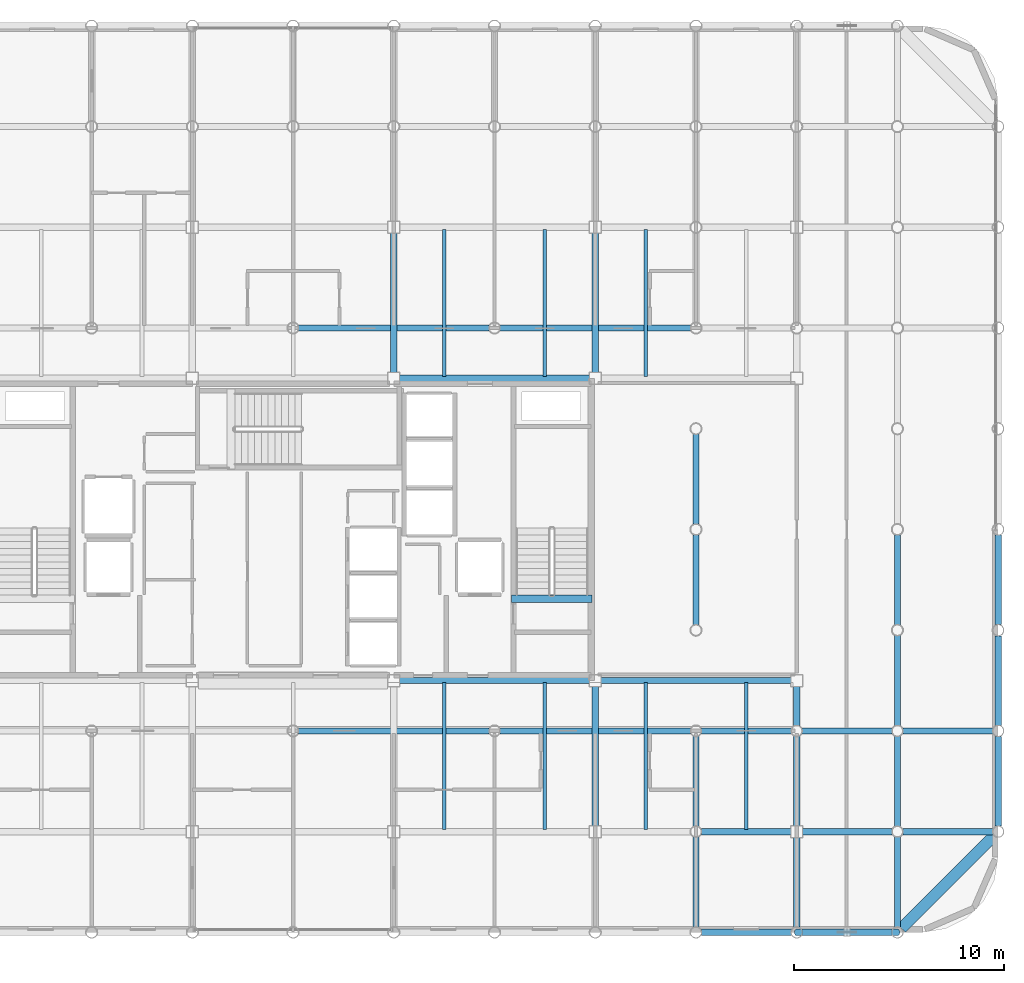
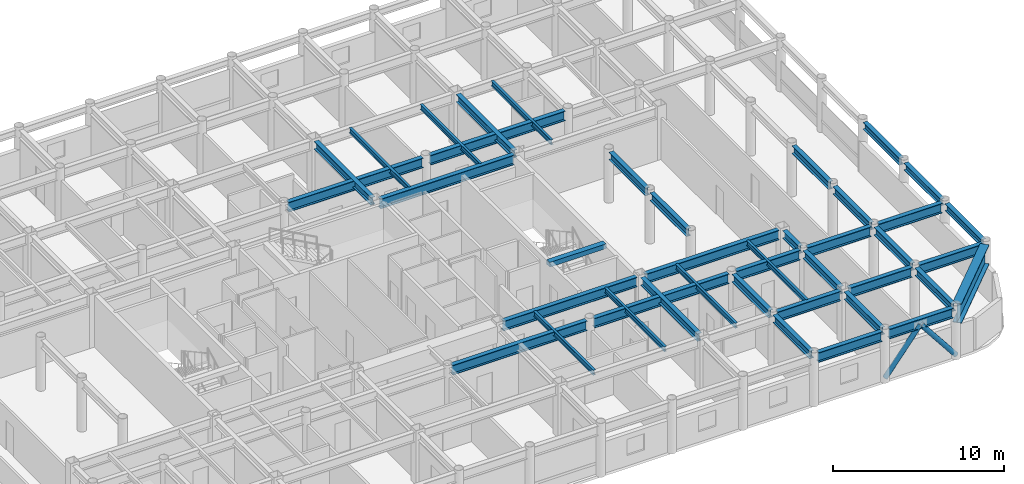
# One storey, part 9 of 24: 41 beams, 2 members.
"""IFC4 building model written with IfcOpenShell, lengths in metres."""

from ifc_helpers import new_model, si_unit, direction, frame, origin, origin_2d, place, context, subcontext, project, spatial, rectangle, hollow_circle, i_section, extrude, material, material_profile, profile_set, type_object, element, save


model = new_model("IFC4")

# Units and contexts
model_context = context("Model", 3, precision=1e-05, world=origin(), true_north=direction((0.0, 1.0)))
body_context = subcontext(model_context, "Body", "Model", "MODEL_VIEW")
ifc_project = project(units=[si_unit("LENGTHUNIT", "METRE"), si_unit("AREAUNIT", "SQUARE_METRE"), si_unit("VOLUMEUNIT", "CUBIC_METRE"), si_unit("PLANEANGLEUNIT", "RADIAN"), si_unit("MASSUNIT", "GRAM", prefix="KILO")], contexts=[model_context])

# Site, building, storey
site_placement = place(None, origin())
site = spatial("IfcSite", under=ifc_project, at=site_placement, CompositionType="ELEMENT")
building_placement = place(site_placement, origin())
building = spatial("IfcBuilding", under=site, at=building_placement, Name="Kallvorn Hotel Tower", CompositionType="ELEMENT")
storey_placement = place(building_placement, frame((0.0, 0.0, 233.85009765625)))
storey = spatial("IfcBuildingStorey", under=building, at=storey_placement, Name="L58", CompositionType="ELEMENT", Elevation=233.85009765625)

# Beams
ifc_material_1 = material(Name="Structural steel S355JR", Category="steel")
ifc_material_profile_1 = material_profile(ifc_material_1, i_section(OverallWidth=0.300048828125, OverallDepth=0.5, WebThickness=0.014404296875, FlangeThickness=0.028076171875, at=origin_2d()), Name="HE 500 B")
ifc_profile_set_1 = profile_set([ifc_material_profile_1], Name="Structural steel S355JR")
beam_type_1 = type_object("IfcBeamType", Name="BM_HE500B", PredefinedType="SPANDREL", material=ifc_profile_set_1)
beam_1_placement = place(storey_placement, frame((33.60009765625, -14.130615234375, 3.419921875), z_axis=(0.0, 1.0, 0.0), x_axis=(-1.0, 0.0, 0.0)))
element("IfcBeam", 1, at=beam_1_placement, inside=storey, type_object=beam_type_1, Name="L59 Perimeter Spandrel 182", PredefinedType="SPANDREL", context=body_context, shape_type="SweptSolid", body=[
    extrude(i_section(OverallWidth=0.300048828125, OverallDepth=0.5, WebThickness=0.014404296875, FlangeThickness=0.028076171875, at=origin_2d()), origin(), (0.0, 0.0, 1.0), 4.26123046875),
])
for number, where, z_axis, x_axis, name in (
    (2, (33.60009765625, -9.33056640625, 3.419921875), (0.0, 1.0, 0.0), (-1.0, 0.0, 0.0), "L59 Perimeter Spandrel 183"),
    (3, (33.60009765625, -4.530517578125, 3.419921875), (0.0, 1.0, 0.0), (-1.0, 0.0, 0.0), "L59 Perimeter Spandrel 184"),
):
    element("IfcBeam", number, at=place(storey_placement, frame(where, z_axis=z_axis, x_axis=x_axis)), inside=storey, type_object=beam_type_1, Name=name, PredefinedType="SPANDREL", context=body_context, shape_type="SweptSolid", body=[
        extrude(i_section(OverallWidth=0.300048828125, OverallDepth=0.5, WebThickness=0.014404296875, FlangeThickness=0.028076171875, at=origin_2d()), origin(), (0.0, 0.0, 1.0), 4.260986328125),
    ])
ifc_material_2 = material(Name="Structural steel S355JR", Category="steel")
ifc_material_profile_2 = material_profile(ifc_material_2, i_section(OverallWidth=0.300048828125, OverallDepth=0.550048828125, WebThickness=0.014892578125, FlangeThickness=0.029052734375, at=origin_2d()), Name="HE 550 B")
ifc_profile_set_2 = profile_set([ifc_material_profile_2], Name="Structural steel S355JR")
beam_type_2 = type_object("IfcBeamType", Name="BM_HE550B", PredefinedType="SPANDREL", material=ifc_profile_set_2)
for number, where, z_axis, x_axis, name in (
    (4, (4.800048828125, 7.47509765625, 3.39501953125), (0.0, 1.0, 0.0), (-1.0, 0.0, 0.0), "L59 Primary Y-Girder 115"),
    (5, (14.39990234375, -14.125, 3.39501953125), (0.0, 1.0, 0.0), (-1.0, 0.0, 0.0), "L59 Primary Y-Girder 122"),
    (6, (14.39990234375, 7.47509765625, 3.39501953125), (0.0, 1.0, 0.0), (-1.0, 0.0, 0.0), "L59 Primary Y-Girder 123"),
):
    element("IfcBeam", number, at=place(storey_placement, frame(where, z_axis=z_axis, x_axis=x_axis)), inside=storey, type_object=beam_type_2, Name=name, PredefinedType="SPANDREL", context=body_context, shape_type="SweptSolid", body=[
        extrude(i_section(OverallWidth=0.300048828125, OverallDepth=0.550048828125, WebThickness=0.014892578125, FlangeThickness=0.029052734375, at=origin_2d()), origin(), (0.0, 0.0, 1.0), 6.64990234375),
    ])
for number, where, z_axis, x_axis, name in (
    (7, (19.199951171875, -18.945556640625, 3.39501953125), (0.0, 1.0, 0.0), (-1.0, 0.0, 0.0), "L59 Primary Y-Girder 126"),
    (8, (19.199951171875, -14.1455078125, 3.39501953125), (0.0, 1.0, 0.0), (-1.0, 0.0, 0.0), "L59 Primary Y-Girder 127"),
    (9, (19.199951171875, -4.54541015625, 3.39501953125), (0.0, 1.0, 0.0), (-1.0, 0.0, 0.0), "L59 Primary Y-Girder 129"),
    (10, (19.199951171875, 0.25439453125, 3.39501953125), (0.0, 1.0, 0.0), (-1.0, 0.0, 0.0), "L59 Primary Y-Girder 130"),
):
    element("IfcBeam", number, at=place(storey_placement, frame(where, z_axis=z_axis, x_axis=x_axis)), inside=storey, type_object=beam_type_2, Name=name, PredefinedType="SPANDREL", context=body_context, shape_type="SweptSolid", body=[
        extrude(i_section(OverallWidth=0.300048828125, OverallDepth=0.550048828125, WebThickness=0.014892578125, FlangeThickness=0.029052734375, at=origin_2d()), origin(), (0.0, 0.0, 1.0), 4.291015625),
    ])
for number, where, z_axis, x_axis, name in (
    (11, (24.0, -18.945556640625, 3.39501953125), (0.0, 1.0, 0.0), (-1.0, 0.0, 0.0), "L59 Primary Y-Girder 135"),
    (12, (24.0, -14.125, 3.39501953125), (0.0, 1.0, 0.0), (-1.0, 0.0, 0.0), "L59 Primary Y-Girder 136"),
):
    element("IfcBeam", number, at=place(storey_placement, frame(where, z_axis=z_axis, x_axis=x_axis)), inside=storey, type_object=beam_type_2, Name=name, PredefinedType="SPANDREL", context=body_context, shape_type="SweptSolid", body=[
        extrude(i_section(OverallWidth=0.300048828125, OverallDepth=0.550048828125, WebThickness=0.014892578125, FlangeThickness=0.029052734375, at=origin_2d()), origin(), (0.0, 0.0, 1.0), 4.2705078125),
    ])
beam_2_placement = place(storey_placement, frame((24.0, -9.345458984375, 3.39501953125), z_axis=(0.0, 1.0, 0.0), x_axis=(-1.0, 0.0, 0.0)))
element("IfcBeam", 13, at=beam_2_placement, inside=storey, type_object=beam_type_2, Name="L59 Primary Y-Girder 137", PredefinedType="SPANDREL", context=body_context, shape_type="SweptSolid", body=[
    extrude(i_section(OverallWidth=0.300048828125, OverallDepth=0.550048828125, WebThickness=0.014892578125, FlangeThickness=0.029052734375, at=origin_2d()), origin(), (0.0, 0.0, 1.0), 1.870361328125),
])
for number, where, z_axis, x_axis, name in (
    (14, (28.800048828125, -18.945556640625, 3.39501953125), (0.0, 1.0, 0.0), (-1.0, 0.0, 0.0), "L59 Primary Y-Girder 142"),
    (15, (28.800048828125, -14.1455078125, 3.39501953125), (0.0, 1.0, 0.0), (-1.0, 0.0, 0.0), "L59 Primary Y-Girder 143"),
    (16, (28.800048828125, -9.345458984375, 3.39501953125), (0.0, 1.0, 0.0), (-1.0, 0.0, 0.0), "L59 Primary Y-Girder 144"),
    (17, (28.800048828125, -4.54541015625, 3.39501953125), (0.0, 1.0, 0.0), (-1.0, 0.0, 0.0), "L59 Primary Y-Girder 145"),
):
    element("IfcBeam", number, at=place(storey_placement, frame(where, z_axis=z_axis, x_axis=x_axis)), inside=storey, type_object=beam_type_2, Name=name, PredefinedType="SPANDREL", context=body_context, shape_type="SweptSolid", body=[
        extrude(i_section(OverallWidth=0.300048828125, OverallDepth=0.550048828125, WebThickness=0.014892578125, FlangeThickness=0.029052734375, at=origin_2d()), origin(), (0.0, 0.0, 1.0), 4.291015625),
    ])
ifc_material_3 = material(Name="Structural steel S355JR", Category="steel")
ifc_material_profile_3 = material_profile(ifc_material_3, i_section(OverallWidth=0.300048828125, OverallDepth=0.699951171875, WebThickness=0.01708984375, FlangeThickness=0.031982421875, at=origin_2d()), Name="HE 700 B")
ifc_profile_set_3 = profile_set([ifc_material_profile_3], Name="Structural steel S355JR")
beam_type_3 = type_object("IfcBeamType", Name="BM_HE700B", PredefinedType="BEAM", material=ifc_profile_set_3)
for number, where, z_axis, x_axis, name in (
    (18, (19.45458984375, -19.199951171875, 3.31982421875), (1.0, 0.0, 0.0), (0.0, 1.0, 0.0), "L59 Primary X-Girder 11"),
    (19, (24.25439453125, -19.199951171875, 3.31982421875), (1.0, 0.0, 0.0), (0.0, 1.0, 0.0), "L59 Primary X-Girder 12"),
):
    element("IfcBeam", number, at=place(storey_placement, frame(where, z_axis=z_axis, x_axis=x_axis)), inside=storey, type_object=beam_type_3, Name=name, PredefinedType="BEAM", context=body_context, shape_type="SweptSolid", body=[
        extrude(i_section(OverallWidth=0.300048828125, OverallDepth=0.699951171875, WebThickness=0.01708984375, FlangeThickness=0.031982421875, at=origin_2d()), origin(), (0.0, 0.0, 1.0), 4.291015625),
    ])
for number, where, z_axis, x_axis, name in (
    (20, (19.45458984375, -14.39990234375, 3.31982421875), (1.0, 0.0, 0.0), (0.0, 1.0, 0.0), "L59 Primary X-Girder 20"),
    (21, (24.27490234375, -14.39990234375, 3.31982421875), (1.0, 0.0, 0.0), (0.0, 1.0, 0.0), "L59 Primary X-Girder 21"),
):
    element("IfcBeam", number, at=place(storey_placement, frame(where, z_axis=z_axis, x_axis=x_axis)), inside=storey, type_object=beam_type_3, Name=name, PredefinedType="BEAM", context=body_context, shape_type="SweptSolid", body=[
        extrude(i_section(OverallWidth=0.300048828125, OverallDepth=0.699951171875, WebThickness=0.01708984375, FlangeThickness=0.031982421875, at=origin_2d()), origin(), (0.0, 0.0, 1.0), 4.2705078125),
    ])
beam_3_placement = place(storey_placement, frame((29.054443359375, -14.39990234375, 3.31982421875), z_axis=(1.0, 0.0, 0.0), x_axis=(0.0, 1.0, 0.0)))
element("IfcBeam", 22, at=beam_3_placement, inside=storey, type_object=beam_type_3, Name="L59 Primary X-Girder 22", PredefinedType="BEAM", context=body_context, shape_type="SweptSolid", body=[
    extrude(i_section(OverallWidth=0.300048828125, OverallDepth=0.699951171875, WebThickness=0.01708984375, FlangeThickness=0.031982421875, at=origin_2d()), origin(), (0.0, 0.0, 1.0), 4.291015625),
])
for number, where, z_axis, x_axis, name in (
    (23, (0.25439453125, -9.60009765625, 3.31982421875), (1.0, 0.0, 0.0), (0.0, 1.0, 0.0), "L59 Primary X-Girder 27"),
    (24, (9.8544921875, -9.60009765625, 3.31982421875), (1.0, 0.0, 0.0), (0.0, 1.0, 0.0), "L59 Primary X-Girder 28"),
):
    element("IfcBeam", number, at=place(storey_placement, frame(where, z_axis=z_axis, x_axis=x_axis)), inside=storey, type_object=beam_type_3, Name=name, PredefinedType="BEAM", context=body_context, shape_type="SweptSolid", body=[
        extrude(i_section(OverallWidth=0.300048828125, OverallDepth=0.699951171875, WebThickness=0.01708984375, FlangeThickness=0.031982421875, at=origin_2d()), origin(), (0.0, 0.0, 1.0), 9.091064453125),
    ])
for number, where, z_axis, x_axis, name in (
    (25, (19.45458984375, -9.60009765625, 3.31982421875), (1.0, 0.0, 0.0), (0.0, 1.0, 0.0), "L59 Primary X-Girder 29"),
    (26, (24.25439453125, -9.60009765625, 3.31982421875), (1.0, 0.0, 0.0), (0.0, 1.0, 0.0), "L59 Primary X-Girder 30"),
    (27, (29.054443359375, -9.60009765625, 3.31982421875), (1.0, 0.0, 0.0), (0.0, 1.0, 0.0), "L59 Primary X-Girder 31"),
):
    element("IfcBeam", number, at=place(storey_placement, frame(where, z_axis=z_axis, x_axis=x_axis)), inside=storey, type_object=beam_type_3, Name=name, PredefinedType="BEAM", context=body_context, shape_type="SweptSolid", body=[
        extrude(i_section(OverallWidth=0.300048828125, OverallDepth=0.699951171875, WebThickness=0.01708984375, FlangeThickness=0.031982421875, at=origin_2d()), origin(), (0.0, 0.0, 1.0), 4.291015625),
    ])
for number, where, z_axis, x_axis, name in (
    (28, (5.074951171875, -7.199951171875, 3.31982421875), (1.0, 0.0, 0.0), (0.0, 1.0, 0.0), "L59 Primary X-Girder 34"),
    (29, (14.675048828125, -7.199951171875, 3.31982421875), (1.0, 0.0, 0.0), (0.0, 1.0, 0.0), "L59 Primary X-Girder 35"),
    (30, (5.074951171875, 7.199951171875, 3.31982421875), (1.0, 0.0, 0.0), (0.0, 1.0, 0.0), "L59 Primary X-Girder 39"),
):
    element("IfcBeam", number, at=place(storey_placement, frame(where, z_axis=z_axis, x_axis=x_axis)), inside=storey, type_object=beam_type_3, Name=name, PredefinedType="BEAM", context=body_context, shape_type="SweptSolid", body=[
        extrude(i_section(OverallWidth=0.300048828125, OverallDepth=0.699951171875, WebThickness=0.01708984375, FlangeThickness=0.031982421875, at=origin_2d()), origin(), (0.0, 0.0, 1.0), 9.050048828125),
    ])
for number, where, z_axis, x_axis, name in (
    (31, (0.25439453125, 9.60009765625, 3.31982421875), (1.0, 0.0, 0.0), (0.0, 1.0, 0.0), "L59 Primary X-Girder 45"),
    (32, (9.8544921875, 9.60009765625, 3.31982421875), (1.0, 0.0, 0.0), (0.0, 1.0, 0.0), "L59 Primary X-Girder 46"),
):
    element("IfcBeam", number, at=place(storey_placement, frame(where, z_axis=z_axis, x_axis=x_axis)), inside=storey, type_object=beam_type_3, Name=name, PredefinedType="BEAM", context=body_context, shape_type="SweptSolid", body=[
        extrude(i_section(OverallWidth=0.300048828125, OverallDepth=0.699951171875, WebThickness=0.01708984375, FlangeThickness=0.031982421875, at=origin_2d()), origin(), (0.0, 0.0, 1.0), 9.091064453125),
    ])
ifc_material_4 = material(Name="Structural steel S355JR", Category="steel")
ifc_material_profile_4 = material_profile(ifc_material_4, i_section(OverallWidth=0.169921875, OverallDepth=0.360107421875, WebThickness=0.008056640625, FlangeThickness=0.0126953125, at=origin_2d()), Name="IPE 360")
ifc_profile_set_4 = profile_set([ifc_material_profile_4], Name="Structural steel S355JR")
beam_type_4 = type_object("IfcBeamType", Name="BM_IPE360", PredefinedType="JOIST", material=ifc_profile_set_4)
for number, where, z_axis, x_axis, name in (
    (33, (7.199951171875, -14.300048828125, 3.489990234375), (0.0, 1.0, 0.0), (-1.0, 0.0, 0.0), "L59 Secondary Composite Joist 202"),
    (34, (7.199951171875, 7.300048828125, 3.489990234375), (0.0, 1.0, 0.0), (-1.0, 0.0, 0.0), "L59 Secondary Composite Joist 203"),
    (35, (12.0, -14.300048828125, 3.489990234375), (0.0, 1.0, 0.0), (-1.0, 0.0, 0.0), "L59 Secondary Composite Joist 204"),
    (36, (12.0, 7.300048828125, 3.489990234375), (0.0, 1.0, 0.0), (-1.0, 0.0, 0.0), "L59 Secondary Composite Joist 205"),
    (37, (16.800048828125, -14.300048828125, 3.489990234375), (0.0, 1.0, 0.0), (-1.0, 0.0, 0.0), "L59 Secondary Composite Joist 206"),
    (38, (16.800048828125, 7.300048828125, 3.489990234375), (0.0, 1.0, 0.0), (-1.0, 0.0, 0.0), "L59 Secondary Composite Joist 207"),
    (39, (21.60009765625, -14.300048828125, 3.489990234375), (0.0, 1.0, 0.0), (-1.0, 0.0, 0.0), "L59 Secondary Composite Joist 208"),
):
    element("IfcBeam", number, at=place(storey_placement, frame(where, z_axis=z_axis, x_axis=x_axis)), inside=storey, type_object=beam_type_4, Name=name, PredefinedType="JOIST", context=body_context, shape_type="SweptSolid", body=[
        extrude(i_section(OverallWidth=0.169921875, OverallDepth=0.360107421875, WebThickness=0.008056640625, FlangeThickness=0.0126953125, at=origin_2d()), origin(), (0.0, 0.0, 1.0), 7.0),
    ])
ifc_material_5 = material(Name="Structural steel S355JR", Category="steel")
ifc_material_profile_5 = material_profile(ifc_material_5, i_section(OverallWidth=0.550048828125, OverallDepth=1.39990234375, WebThickness=0.02490234375, FlangeThickness=0.044921875, at=origin_2d()), Name="PG 1400x550x25x45")
ifc_profile_set_5 = profile_set([ifc_material_profile_5], Name="Structural steel S355JR")
beam_type_5 = type_object("IfcBeamType", Name="BM_PG_1400", PredefinedType="BEAM", material=ifc_profile_set_5)
beam_4_placement = place(storey_placement, frame((33.409423828125, -14.590576171875, 2.969970703125), z_axis=(-0.707106781187, -0.707106781187, 0.0), x_axis=(0.707106781187, -0.707106781187, 0.0)))
element("IfcBeam", 40, at=beam_4_placement, inside=storey, type_object=beam_type_5, Name="L59 Rounded Corner Tie Beam 190", PredefinedType="BEAM", context=body_context, shape_type="SweptSolid", body=[
    extrude(i_section(OverallWidth=0.550048828125, OverallDepth=1.39990234375, WebThickness=0.02490234375, FlangeThickness=0.044921875, at=origin_2d()), origin(), (0.0, 0.0, 1.0), 6.249267578125),
])
ifc_material_6 = material(Name="Concrete C50/60", Category="concrete")
ifc_material_profile_6 = material_profile(ifc_material_6, rectangle(XDim=0.360107421875, YDim=0.340087890625, at=origin_2d()), Name="RC 360x340")
ifc_profile_set_6 = profile_set([ifc_material_profile_6], Name="Concrete C50/60")
beam_type_6 = type_object("IfcBeamType", Name="BM_RC_400x360", PredefinedType="BEAM", material=ifc_profile_set_6)
beam_5_placement = place(storey_placement, frame((14.239990234375, -3.31005859375, 3.5), z_axis=(-1.0, 0.0, 0.0), x_axis=(0.0, -1.0, 0.0)))
element("IfcBeam", 41, at=beam_5_placement, inside=storey, type_object=beam_type_6, Name="L59 Stair ST2 Arrival Trimmer Beam", PredefinedType="BEAM", context=body_context, shape_type="SweptSolid", body=[
    extrude(rectangle(XDim=0.360107421875, YDim=0.340087890625, at=origin_2d()), origin(), (0.0, 0.0, 1.0), 3.820068359375),
])

# Members
ifc_material_7 = material(Name="Structural steel S355J2H", Category="steel")
ifc_material_profile_7 = material_profile(ifc_material_7, hollow_circle(Radius=0.161865234375, WallThickness=0.012451171875, at=origin_2d()), Name="CHS 323.9x12.5")
ifc_profile_set_7 = profile_set([ifc_material_profile_7], Name="Structural steel S355J2H")
member_type = type_object("IfcMemberType", Name="MBR_EXO_CHS323", PredefinedType="BRACE", material=ifc_profile_set_7)
for number, where, z_axis, x_axis, name in (
    (42, (24.012451171875, -19.199951171875, 0.195556640625), (0.620928510901, 0.0, 0.783867198159), (0.0, 1.0, 0.0), "L58 Exoskeleton K-Brace S2A"),
    (43, (28.78759765625, -19.199951171875, 0.195556640625), (-0.620928510901, 0.0, 0.783867198159), (0.0, -1.0, 0.0), "L58 Exoskeleton K-Brace S2B"),
):
    element("IfcMember", number, at=place(storey_placement, frame(where, z_axis=z_axis, x_axis=x_axis)), inside=storey, type_object=member_type, Name=name, PredefinedType="BRACE", context=body_context, shape_type="SweptSolid", body=[
        extrude(hollow_circle(Radius=0.161865234375, WallThickness=0.012451171875, at=origin_2d()), origin(), (0.0, 0.0, 1.0), 3.8251953125),
    ])

save(model, "model.ifc")
